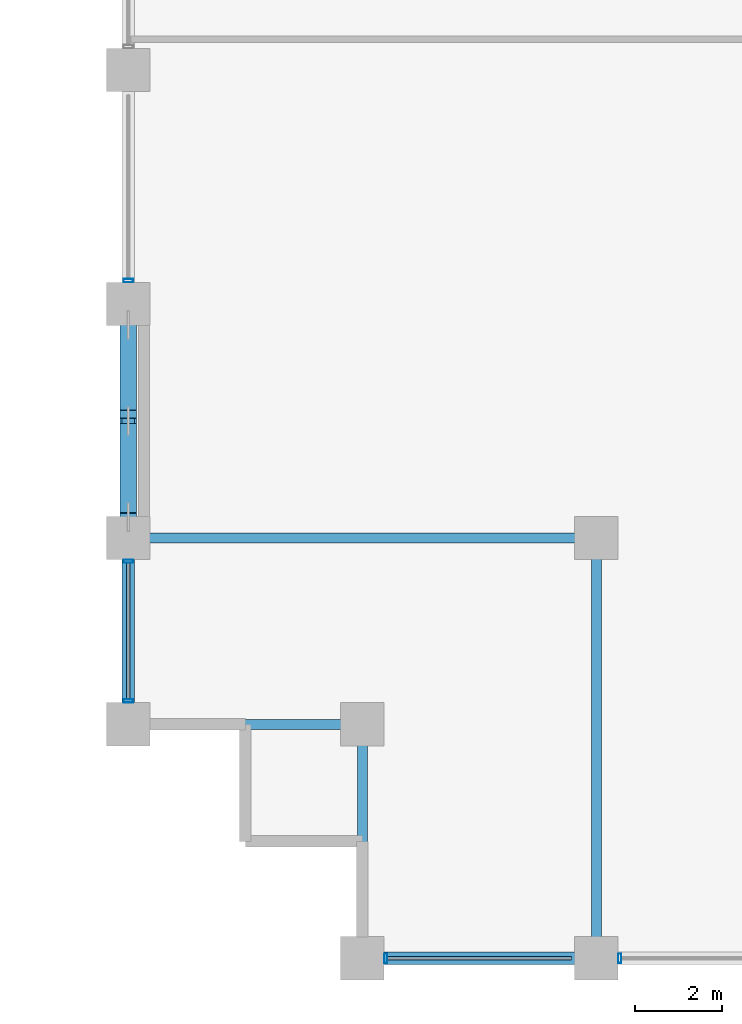
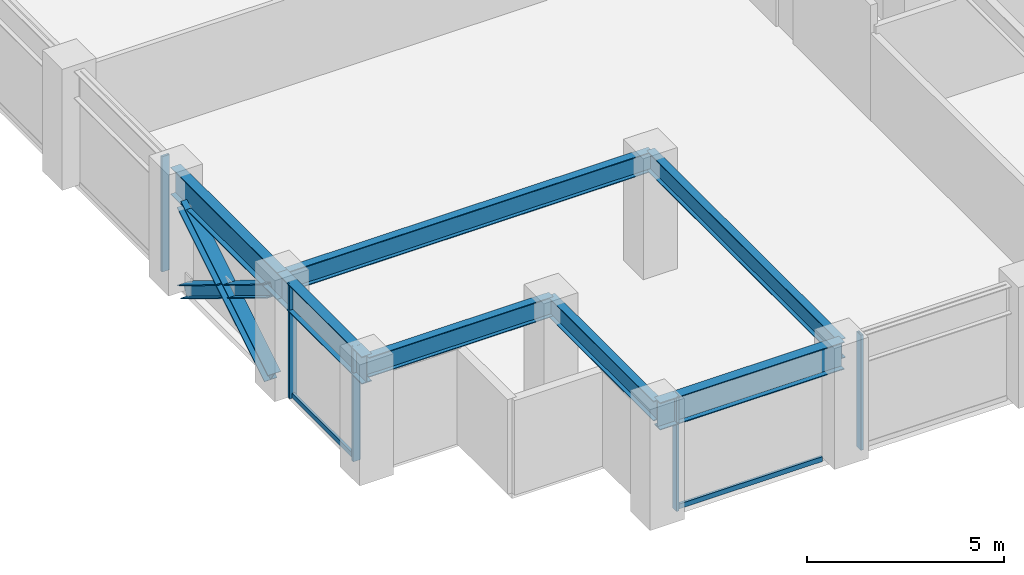
# One storey, part 2 of 29: 10 members, 7 beams, 3 elements without a shape of their own.
"""IFC4 building model written with IfcOpenShell, lengths in metres."""

import ifcopenshell
import ifcopenshell.guid

model = None  # the IFC model being written
_history = None  # IfcOwnerHistory: only IFC2X3 demands one
_inside = {}  # id of a spatial element -> (the spatial element, [elements in it])
_under = {}  # id of a project, library or spatial element -> (it, [spatial elements below it])
_declared = {}  # id of a project -> (the project, [libraries it declares])
_typed = {}  # id of a type object -> (the type object, [elements of that type])
_made_of = {}  # id of a material, layer set ... -> (it, [elements and type objects made of it])


def new_model(schema):
    """Start an empty IFC model of exactly this schema.

    Asked for "IFC4X3", IfcOpenShell would pick the latest addendum, in which some entities
    have other attributes; the version numbers below select the first issue.
    IFC2X3 requires an IfcOwnerHistory on every rooted entity: one is made here for all.
    """
    global model, _history
    if schema == "IFC4X3":
        model = ifcopenshell.file(schema_version=(4, 3, 0, 0))
    else:
        model = ifcopenshell.file(schema=schema)
    _inside.clear()
    _under.clear()
    _declared.clear()
    _typed.clear()
    _made_of.clear()
    _history = None
    if model.schema == "IFC2X3":
        org = make("IfcOrganization", Name="unknown")
        user = make(
            "IfcPersonAndOrganization",
            ThePerson=make("IfcPerson", FamilyName="unknown"),
            TheOrganization=org,
        )
        app = make(
            "IfcApplication",
            ApplicationDeveloper=org,
            Version="unknown",
            ApplicationFullName="unknown",
            ApplicationIdentifier="unknown",
        )
        _history = make(
            "IfcOwnerHistory",
            OwningUser=user,
            OwningApplication=app,
            ChangeAction="ADDED",
            CreationDate=0,
        )
    return model


def make(cls, **values):
    """One entity of the class cls with the attributes given. An attribute that is None is left unset."""
    return model.create_entity(
        cls, **{name: value for name, value in values.items() if value is not None}
    )


def rooted(cls, **values):
    """An entity with a GlobalId (a new one), such as an element, a storey or a relation."""
    return make(cls, GlobalId=ifcopenshell.guid.new(), OwnerHistory=_history, **values)


def si_unit(unit_type, name, prefix=None):
    """IfcSIUnit, for example si_unit("LENGTHUNIT", "METRE", prefix="MILLI")."""
    return make("IfcSIUnit", UnitType=unit_type, Prefix=prefix, Name=name)


def assignment(units):
    """IfcUnitAssignment: the units of a project."""
    return None if units is None else make("IfcUnitAssignment", Units=units)


def point(xyz):
    """IfcCartesianPoint."""
    return None if xyz is None else make("IfcCartesianPoint", Coordinates=xyz)


def direction(xyz):
    """IfcDirection."""
    return None if xyz is None else make("IfcDirection", DirectionRatios=xyz)


def frame(location, z_axis=None, x_axis=None):
    """IfcAxis2Placement3D, a coordinate frame: its origin and axes. An axis left out is left unset."""
    return make(
        "IfcAxis2Placement3D",
        Location=point(location),
        Axis=direction(z_axis),
        RefDirection=direction(x_axis),
    )


def frame_2d(location, x_axis=None):
    """IfcAxis2Placement2D, a coordinate frame in the plane: its origin and x axis."""
    return make(
        "IfcAxis2Placement2D", Location=point(location), RefDirection=direction(x_axis)
    )


def origin():
    """The frame at (0, 0, 0) with its axes left unset."""
    return frame((0.0, 0.0, 0.0))


def origin_2d():
    """The frame at (0, 0) in the plane with its x axis left unset."""
    return frame_2d((0.0, 0.0))


def place(relative_to, where):
    """IfcLocalPlacement: puts the frame where relative to a parent placement (None: the world)."""
    return make(
        "IfcLocalPlacement", PlacementRelTo=relative_to, RelativePlacement=where
    )


def context(
    kind, dimensions, precision=None, world=None, true_north=None, identifier=None
):
    """IfcGeometricRepresentationContext, for example the 3D "Model" context."""
    return make(
        "IfcGeometricRepresentationContext",
        ContextIdentifier=identifier,
        ContextType=kind,
        CoordinateSpaceDimension=dimensions,
        Precision=precision,
        WorldCoordinateSystem=world,
        TrueNorth=true_north,
    )


def subcontext(parent, identifier, kind, view, scale=None):
    """IfcGeometricRepresentationSubContext, for example "Body" below "Model"."""
    return make(
        "IfcGeometricRepresentationSubContext",
        ContextIdentifier=identifier,
        ContextType=kind,
        ParentContext=parent,
        TargetScale=scale,
        TargetView=view,
    )


def project(units=None, contexts=None):
    """IfcProject with its units and contexts."""
    return rooted(
        "IfcProject",
        Name="project",
        RepresentationContexts=contexts,
        UnitsInContext=assignment(units),
    )


def spatial(cls, under=None, at=None, **own):
    """A site, building, storey or space (cls), placed at a placement, below another one or the project."""
    s = rooted(cls, ObjectPlacement=at, **own)
    if under is not None:
        _under.setdefault(under.id(), (under, []))[1].append(s)
    return s


def profile(cls, at=None, kind="AREA", **sizes):
    """A parametric profile (cls). Its sizes go by their IFC names, for example OverallWidth=200.0."""
    return make(cls, ProfileType=kind, Position=at, **sizes)


def hollow_rectangle(**sizes):
    """IfcRectangleHollowProfileDef."""
    return profile("IfcRectangleHollowProfileDef", **sizes)


def i_section(**sizes):
    """IfcIShapeProfileDef."""
    return profile("IfcIShapeProfileDef", **sizes)


def extrude(swept, where, along, depth):
    """IfcExtrudedAreaSolid: the profile swept, set in the frame where, extruded along a direction by depth."""
    return make(
        "IfcExtrudedAreaSolid",
        SweptArea=swept,
        Position=where,
        ExtrudedDirection=direction(along),
        Depth=depth,
    )


def shape(context_of_items, identifier, shape_type, items):
    """IfcShapeRepresentation: the items that make up one representation, for example the "Body"."""
    return make(
        "IfcShapeRepresentation",
        ContextOfItems=context_of_items,
        RepresentationIdentifier=identifier,
        RepresentationType=shape_type,
        Items=items,
    )


def material(Name=None, Category=None):
    """IfcMaterial."""
    return make("IfcMaterial", Name=Name, Category=Category)


def layer(
    of_material, thickness, ventilated=None, Name=None, Category=None, Priority=None
):
    """IfcMaterialLayer: one layer of a wall or slab, of a material (None: an air gap)."""
    return make(
        "IfcMaterialLayer",
        Material=of_material,
        LayerThickness=thickness,
        IsVentilated=ventilated,
        Name=Name,
        Category=Category,
        Priority=Priority,
    )


def layer_set(layers, Name=None):
    """IfcMaterialLayerSet."""
    return make("IfcMaterialLayerSet", MaterialLayers=layers, LayerSetName=Name)


def material_profile(
    of_material, cross_section, Name=None, Category=None, Priority=None
):
    """IfcMaterialProfile: a cross section and its material."""
    return make(
        "IfcMaterialProfile",
        Name=Name,
        Material=of_material,
        Profile=cross_section,
        Priority=Priority,
        Category=Category,
    )


def profile_set(profiles, Name=None, composite=None):
    """IfcMaterialProfileSet."""
    return make(
        "IfcMaterialProfileSet",
        Name=Name,
        MaterialProfiles=profiles,
        CompositeProfile=composite,
    )


def made_of(thing, what):
    """Note that an element or type object is made of a material, layer set ...; save() writes the relation."""
    if what is not None:
        _made_of.setdefault(what.id(), (what, []))[1].append(thing)
    return thing


def type_object(cls, material=None, **own):
    """A type object (cls), such as IfcWallType, which elements share."""
    return made_of(rooted(cls, **own), material)


def element(
    cls,
    number,
    at=None,
    inside=None,
    cuts=None,
    type_object=None,
    material=None,
    context=None,
    identifier="Body",
    shape_type=None,
    held_by="IfcProductDefinitionShape",
    body=None,
    shapes=None,
    **own,
):
    """One element of the class cls, such as IfcWall. Its Tag is "e" and its number.

    at: its placement. inside: the storey or other place that contains it. cuts: it is an
    opening in that element (IfcRelVoidsElement). A single representation is given by context,
    identifier, shape_type and body (its items); several are given by shapes. held_by: the class
    of the entity that holds the representations. save() writes the other relations.
    """
    e = rooted(cls, Tag="e%d" % number, ObjectPlacement=at, **own)
    if body is not None:
        shapes = [shape(context, identifier, shape_type, body)]
    if shapes is not None:
        e.Representation = make(held_by, Representations=shapes)
    if inside is not None:
        _inside.setdefault(inside.id(), (inside, []))[1].append(e)
    if cuts is not None:
        rooted(
            "IfcRelVoidsElement", RelatingBuildingElement=cuts, RelatedOpeningElement=e
        )
    if type_object is not None:
        _typed.setdefault(type_object.id(), (type_object, []))[1].append(e)
    return made_of(e, material)


def aggregate(whole, parts):
    """IfcRelAggregates: a whole, such as a stair, and the parts it consists of."""
    return rooted("IfcRelAggregates", RelatingObject=whole, RelatedObjects=parts)


def save(model, path):
    """Write the relations noted so far, then the file.

    IfcRelAggregates (storeys below a building ...), IfcRelContainedInSpatialStructure (elements
    in a storey), IfcRelDefinesByType, IfcRelAssociatesMaterial and IfcRelDeclares: one each for
    every whole, place, type object, material and project.
    """
    for whole, parts in _under.values():
        aggregate(whole, parts)
    for where, things in _inside.values():
        rooted(
            "IfcRelContainedInSpatialStructure",
            RelatedElements=things,
            RelatingStructure=where,
        )
    for kind, things in _typed.values():
        rooted("IfcRelDefinesByType", RelatedObjects=things, RelatingType=kind)
    for what, things in _made_of.values():
        rooted("IfcRelAssociatesMaterial", RelatedObjects=things, RelatingMaterial=what)
    for by, libraries in _declared.values():
        rooted("IfcRelDeclares", RelatingContext=by, RelatedDefinitions=libraries)
    model.write(path)


model = new_model("IFC4")

# Units and contexts
model_context = context("Model", 3, precision=1e-05, world=origin(), true_north=direction((0.0, 1.0)))
body_context = subcontext(model_context, "Body", "Model", "MODEL_VIEW")
ifc_project = project(units=[si_unit("LENGTHUNIT", "METRE"), si_unit("AREAUNIT", "SQUARE_METRE"), si_unit("VOLUMEUNIT", "CUBIC_METRE"), si_unit("PLANEANGLEUNIT", "RADIAN"), si_unit("MASSUNIT", "GRAM", prefix="KILO")], contexts=[model_context])

# Site, building, storey
site_placement = place(None, origin())
site = spatial("IfcSite", under=ifc_project, at=site_placement, CompositionType="ELEMENT")
building_placement = place(site_placement, origin())
building = spatial("IfcBuilding", under=site, at=building_placement, Name="Surkhivell Harbour Commons", CompositionType="ELEMENT")
storey_placement = place(building_placement, frame((0.0, 0.0, 150.75)))
storey = spatial("IfcBuildingStorey", under=building, at=storey_placement, Name="L39", CompositionType="ELEMENT", Elevation=150.75)

# Beams
ifc_material_1 = material(Name="Steel S355", Category="steel")
ifc_material_profile_1 = material_profile(ifc_material_1, i_section(OverallWidth=0.22998046875, OverallDepth=0.616943359375, WebThickness=0.01318359375, FlangeThickness=0.022216796875, at=origin_2d()), Name="UB610x229x140")
ifc_profile_set_1 = profile_set([ifc_material_profile_1], Name="Steel S355")
beam_type_1 = type_object("IfcBeamType", Name="BM-GRD-610B", PredefinedType="BEAM", material=ifc_profile_set_1)
beam_1_placement = place(storey_placement, frame((-32.39990234375, -20.5, 3.261474609375), z_axis=(1.0, 0.0, 0.0), x_axis=(0.0, 1.0, 0.0)))
element("IfcBeam", 1, at=beam_1_placement, inside=storey, type_object=beam_type_1, Name="L39 Floor Girder (-32.4,-20.5)", PredefinedType="BEAM", context=body_context, shape_type="SweptSolid", body=[
    extrude(i_section(OverallWidth=0.22998046875, OverallDepth=0.616943359375, WebThickness=0.01318359375, FlangeThickness=0.022216796875, at=origin_2d()), origin(), (0.0, 0.0, 1.0), 5.39990234375),
])
beam_2_placement = place(storey_placement, frame((-32.39990234375, -16.199951171875, 3.261474609375), z_axis=(1.0, 0.0, 0.0), x_axis=(0.0, 1.0, 0.0)))
element("IfcBeam", 2, at=beam_2_placement, inside=storey, type_object=beam_type_1, Name="L39 Floor Girder (-32.4,-16.2)", PredefinedType="BEAM", context=body_context, shape_type="SweptSolid", body=[
    extrude(i_section(OverallWidth=0.22998046875, OverallDepth=0.616943359375, WebThickness=0.01318359375, FlangeThickness=0.022216796875, at=origin_2d()), origin(), (0.0, 0.0, 1.0), 10.7998046875),
])
beam_3_placement = place(storey_placement, frame((-27.0, -25.89990234375, 3.261474609375), z_axis=(0.0, 1.0, 0.0), x_axis=(-1.0, 0.0, 0.0)))
element("IfcBeam", 3, at=beam_3_placement, inside=storey, type_object=beam_type_1, Name="L39 Floor Girder (-27.0,-25.9)", PredefinedType="BEAM", context=body_context, shape_type="SweptSolid", body=[
    extrude(i_section(OverallWidth=0.22998046875, OverallDepth=0.616943359375, WebThickness=0.01318359375, FlangeThickness=0.022216796875, at=origin_2d()), origin(), (0.0, 0.0, 1.0), 5.39990234375),
])
beam_4_placement = place(storey_placement, frame((-21.60009765625, -25.89990234375, 3.261474609375), z_axis=(0.0, 1.0, 0.0), x_axis=(-1.0, 0.0, 0.0)))
element("IfcBeam", 4, at=beam_4_placement, inside=storey, type_object=beam_type_1, Name="L39 Floor Girder (-21.6,-25.9)", PredefinedType="BEAM", context=body_context, shape_type="SweptSolid", body=[
    extrude(i_section(OverallWidth=0.22998046875, OverallDepth=0.616943359375, WebThickness=0.01318359375, FlangeThickness=0.022216796875, at=origin_2d()), origin(), (0.0, 0.0, 1.0), 9.699951171875),
])
ifc_material_2 = material(Name="Steel S460", Category="steel")
ifc_material_profile_2 = material_profile(ifc_material_2, i_section(OverallWidth=0.2939453125, OverallDepth=0.85107421875, WebThickness=0.01611328125, FlangeThickness=0.02685546875, at=origin_2d()), Name="UB838x292x226")
ifc_profile_set_2 = profile_set([ifc_material_profile_2], Name="Steel S460")
beam_type_2 = type_object("IfcBeamType", Name="BM-SPN-838", PredefinedType="SPANDREL", material=ifc_profile_set_2)
beam_5_placement = place(storey_placement, frame((-32.39990234375, -20.5, 3.14453125), z_axis=(0.0, 1.0, 0.0), x_axis=(-1.0, 0.0, 0.0)))
element("IfcBeam", 5, at=beam_5_placement, inside=storey, type_object=beam_type_2, Name="L39 Tube Spandrel (-32.4,-20.5)", PredefinedType="SPANDREL", context=body_context, shape_type="SweptSolid", body=[
    extrude(i_section(OverallWidth=0.2939453125, OverallDepth=0.85107421875, WebThickness=0.01611328125, FlangeThickness=0.02685546875, at=origin_2d()), origin(), (0.0, 0.0, 1.0), 4.300048828125),
])
for number, where, z_axis, x_axis, name in (
    (6, (-32.39990234375, -16.199951171875, 3.14453125), (0.0, 1.0, 0.0), (-1.0, 0.0, 0.0), "L39 Tube Spandrel (-32.4,-16.2)"),
    (7, (-27.0, -25.89990234375, 3.14453125), (1.0, 0.0, 0.0), (0.0, 1.0, 0.0), "L39 Tube Spandrel (-27.0,-25.9)"),
):
    element("IfcBeam", number, at=place(storey_placement, frame(where, z_axis=z_axis, x_axis=x_axis)), inside=storey, type_object=beam_type_2, Name=name, PredefinedType="SPANDREL", context=body_context, shape_type="SweptSolid", body=[
        extrude(i_section(OverallWidth=0.2939453125, OverallDepth=0.85107421875, WebThickness=0.01611328125, FlangeThickness=0.02685546875, at=origin_2d()), origin(), (0.0, 0.0, 1.0), 5.39990234375),
    ])

# Curtain wall, members
ifc_material_3 = material(Name="Anodised pale-metal aluminium and insulated glazing", Category="aluminium")
ifc_layer = layer(ifc_material_3, 0.205078125)
ifc_layer_set = layer_set([ifc_layer], Name="Anodised pale-metal aluminium and insulated glazing")
curtain_wall_type = type_object("IfcCurtainWallType", Name="CW-SYS-Z2", PredefinedType="NOTDEFINED", material=ifc_layer_set)
curtain_wall_1_placement = place(storey_placement, origin())
curtain_wall_1 = element("IfcCurtainWall", 8, at=curtain_wall_1_placement, inside=storey, type_object=curtain_wall_type, Name="L39 Curtain Wall CW-L39-E00S1", PredefinedType="NOTDEFINED")
ifc_material_4 = material(Name="Anodised pale-metal aluminium alloy 6063-T6", Category="aluminium")
ifc_material_profile_3 = material_profile(ifc_material_4, hollow_rectangle(XDim=0.074951171875, YDim=0.219970703125, WallThickness=0.00390625, at=origin_2d()), Name="ALU-MULL-75x220")
ifc_profile_set_3 = profile_set([ifc_material_profile_3], Name="Anodised pale-metal aluminium alloy 6063-T6")
member_type_1 = type_object("IfcMemberType", Name="CWM-220", PredefinedType="MULLION", material=ifc_profile_set_3)
member_1_placement = place(storey_placement, frame((-26.46044921875, -25.89990234375, 0.0), z_axis=(0.0, 0.0, 1.0), x_axis=(1.0, 0.0, 0.0)))
member_1 = element("IfcMember", 9, at=member_1_placement, type_object=member_type_1, Name="CW-Z2 mullion 1", PredefinedType="MULLION", context=body_context, shape_type="SweptSolid", body=[
    extrude(hollow_rectangle(XDim=0.074951171875, YDim=0.219970703125, WallThickness=0.00390625, at=origin_2d()), origin(), (0.0, 0.0, 1.0), 3.570068359375),
])
member_2_placement = place(storey_placement, frame((-21.060546875, -25.89990234375, 0.0), z_axis=(0.0, 0.0, 1.0), x_axis=(1.0, 0.0, 0.0)))
member_2 = element("IfcMember", 10, at=member_2_placement, type_object=member_type_1, Name="CW-Z2 mullion 2", PredefinedType="MULLION", context=body_context, shape_type="SweptSolid", body=[
    extrude(hollow_rectangle(XDim=0.074951171875, YDim=0.219970703125, WallThickness=0.00390625, at=origin_2d()), origin(), (0.0, 0.0, 1.0), 3.570068359375),
])

curtain_wall_2_placement = place(storey_placement, origin())
curtain_wall_2 = element("IfcCurtainWall", 11, at=curtain_wall_2_placement, inside=storey, type_object=curtain_wall_type, Name="L39 Curtain Wall CW-L39-E12R1S1", PredefinedType="NOTDEFINED")
member_3_placement = place(storey_placement, frame((-32.39990234375, -19.96044921875, 0.0), z_axis=(0.0, 0.0, 1.0), x_axis=(0.0, 1.0, 0.0)))
member_3 = element("IfcMember", 12, at=member_3_placement, type_object=member_type_1, Name="CW-Z2 mullion 1", PredefinedType="MULLION", context=body_context, shape_type="SweptSolid", body=[
    extrude(hollow_rectangle(XDim=0.074951171875, YDim=0.219970703125, WallThickness=0.00390625, at=origin_2d()), origin(), (0.0, 0.0, 1.0), 3.570068359375),
])
member_4_placement = place(storey_placement, frame((-32.39990234375, -16.739501953125, 0.0), z_axis=(0.0, 0.0, 1.0), x_axis=(0.0, 1.0, 0.0)))
member_4 = element("IfcMember", 13, at=member_4_placement, type_object=member_type_1, Name="CW-Z2 mullion 2", PredefinedType="MULLION", context=body_context, shape_type="SweptSolid", body=[
    extrude(hollow_rectangle(XDim=0.074951171875, YDim=0.219970703125, WallThickness=0.00390625, at=origin_2d()), origin(), (0.0, 0.0, 1.0), 3.570068359375),
])

# Curtain wall, member
curtain_wall_3_placement = place(storey_placement, origin())
curtain_wall_3 = element("IfcCurtainWall", 14, at=curtain_wall_3_placement, inside=storey, type_object=curtain_wall_type, Name="L39 Curtain Wall CW-L39-E12R1S2", PredefinedType="NOTDEFINED")
member_5_placement = place(storey_placement, frame((-32.39990234375, -10.260498046875, 0.0), z_axis=(0.0, 0.0, 1.0), x_axis=(0.0, 1.0, 0.0)))
member_5 = element("IfcMember", 15, at=member_5_placement, type_object=member_type_1, Name="CW-Z2 mullion 1", PredefinedType="MULLION", context=body_context, shape_type="SweptSolid", body=[
    extrude(hollow_rectangle(XDim=0.074951171875, YDim=0.219970703125, WallThickness=0.00390625, at=origin_2d()), origin(), (0.0, 0.0, 1.0), 3.570068359375),
])
aggregate(curtain_wall_3, [member_5])

# Member
ifc_material_profile_4 = material_profile(ifc_material_4, hollow_rectangle(XDim=0.074951171875, YDim=0.14990234375, WallThickness=0.00341796875, at=origin_2d()), Name="ALU-TRAN-75x150")
ifc_profile_set_4 = profile_set([ifc_material_profile_4], Name="Anodised pale-metal aluminium alloy 6063-T6")
member_type_2 = type_object("IfcMemberType", Name="CWT-150", PredefinedType="USERDEFINED", material=ifc_profile_set_4)
member_6_placement = place(storey_placement, frame((-26.423095703125, -25.89990234375, 0.074951171875), z_axis=(1.0, 0.0, 0.0), x_axis=(0.0, 1.0, 0.0)))
member_6 = element("IfcMember", 16, at=member_6_placement, type_object=member_type_2, Name="CW-Z2 transom 1.1", ObjectType="TRANSOM", PredefinedType="USERDEFINED", context=body_context, shape_type="SweptSolid", body=[
    extrude(hollow_rectangle(XDim=0.074951171875, YDim=0.14990234375, WallThickness=0.00341796875, at=origin_2d()), origin(), (0.0, 0.0, 1.0), 4.24609375),
])

aggregate(curtain_wall_1, [member_1, member_6, member_2])

member_7_placement = place(storey_placement, frame((-32.39990234375, -19.923095703125, 0.074951171875), z_axis=(0.0, 1.0, 0.0), x_axis=(-1.0, 0.0, 0.0)))
member_7 = element("IfcMember", 17, at=member_7_placement, type_object=member_type_2, Name="CW-Z2 transom 1.1", ObjectType="TRANSOM", PredefinedType="USERDEFINED", context=body_context, shape_type="SweptSolid", body=[
    extrude(hollow_rectangle(XDim=0.074951171875, YDim=0.14990234375, WallThickness=0.00341796875, at=origin_2d()), origin(), (0.0, 0.0, 1.0), 3.14599609375),
])

aggregate(curtain_wall_2, [member_3, member_4, member_7])

# Members
ifc_material_profile_5 = material_profile(ifc_material_2, i_section(OverallWidth=0.375, OverallDepth=0.375, WebThickness=0.0166015625, FlangeThickness=0.027099609375, at=origin_2d()), Name="UC356x368x202")
ifc_profile_set_5 = profile_set([ifc_material_profile_5], Name="Steel S460")
member_type_3 = type_object("IfcMemberType", Name="MEM-BRC-UC356", PredefinedType="BRACE", material=ifc_profile_set_5)
member_8_placement = place(storey_placement, frame((-32.39990234375, -15.715087890625, 0.008056640625), z_axis=(0.0, 0.852637717293, 0.522502557936), x_axis=(-1.0, 0.0, 0.0)))
element("IfcMember", 18, at=member_8_placement, inside=storey, type_object=member_type_3, Name="L39 Perimeter Mega-Brace MB- 10", PredefinedType="BRACE", context=body_context, shape_type="SweptSolid", body=[
    extrude(i_section(OverallWidth=0.375, OverallDepth=0.375, WebThickness=0.0166015625, FlangeThickness=0.027099609375, at=origin_2d()), origin(), (0.0, 0.0, 1.0), 5.19580078125),
])
member_9_placement = place(storey_placement, frame((-32.39990234375, -11.284912109375, 0.008056640625), z_axis=(0.0, -0.852617215241, 0.52253601242), x_axis=(1.0, 0.0, 0.0)))
element("IfcMember", 19, at=member_9_placement, inside=storey, type_object=member_type_3, Name="L39 Perimeter Mega-Brace MB- 11", PredefinedType="BRACE", context=body_context, shape_type="SweptSolid", body=[
    extrude(i_section(OverallWidth=0.375, OverallDepth=0.375, WebThickness=0.0166015625, FlangeThickness=0.027099609375, at=origin_2d()), origin(), (0.0, 0.0, 1.0), 2.41796875),
])
member_10_placement = place(storey_placement, frame((-32.39990234375, -13.653564453125, 1.459716796875), z_axis=(0.0, -0.852662200332, 0.522462603567), x_axis=(1.0, 0.0, 0.0)))
element("IfcMember", 20, at=member_10_placement, inside=storey, type_object=member_type_3, Name="L39 Perimeter Mega-Brace MB- 12", PredefinedType="BRACE", context=body_context, shape_type="SweptSolid", body=[
    extrude(i_section(OverallWidth=0.375, OverallDepth=0.375, WebThickness=0.0166015625, FlangeThickness=0.027099609375, at=origin_2d()), origin(), (0.0, 0.0, 1.0), 2.417724609375),
])

save(model, "model.ifc")
